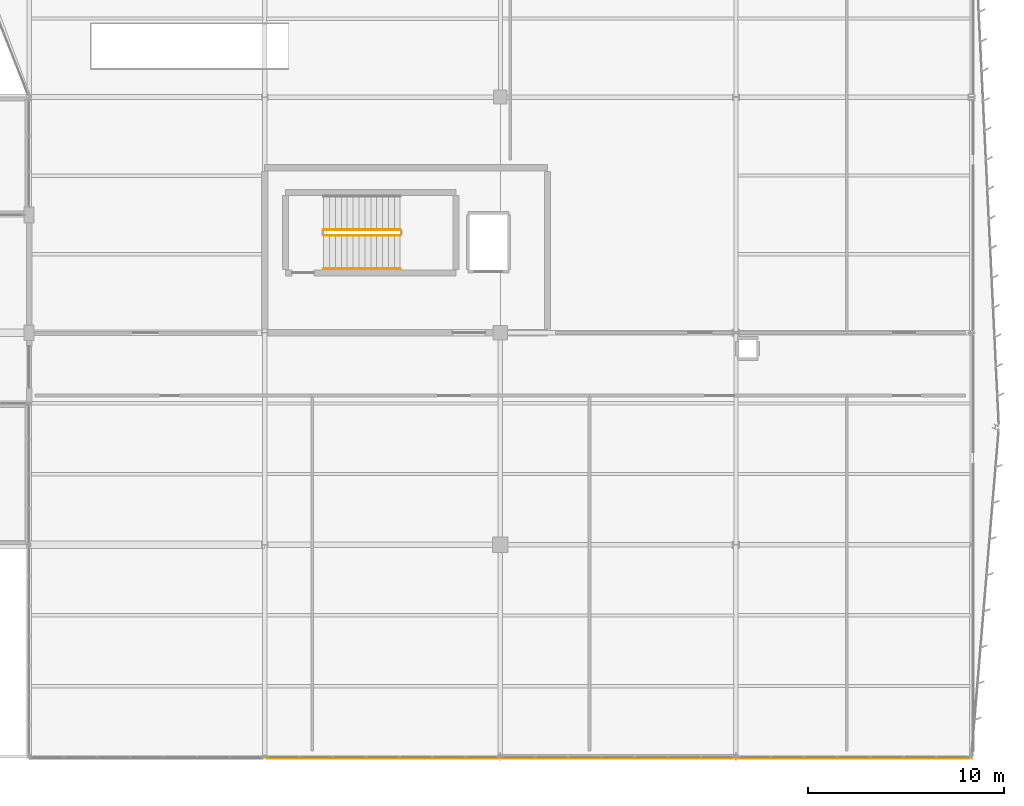
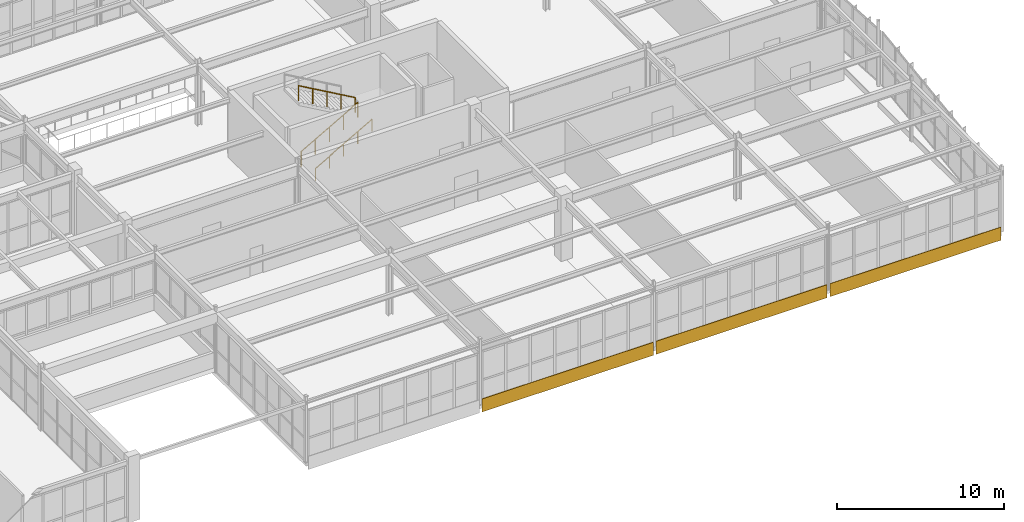
# One storey, part 217 of 226: 3 coverings, 3 railings.
"""IFC4 building model written with IfcOpenShell, lengths in metres."""

import ifcopenshell
import ifcopenshell.guid

model = None  # the IFC model being written
_history = None  # IfcOwnerHistory: only IFC2X3 demands one
_inside = {}  # id of a spatial element -> (the spatial element, [elements in it])
_under = {}  # id of a project, library or spatial element -> (it, [spatial elements below it])
_declared = {}  # id of a project -> (the project, [libraries it declares])
_typed = {}  # id of a type object -> (the type object, [elements of that type])
_made_of = {}  # id of a material, layer set ... -> (it, [elements and type objects made of it])


def new_model(schema):
    """Start an empty IFC model of exactly this schema.

    Asked for "IFC4X3", IfcOpenShell would pick the latest addendum, in which some entities
    have other attributes; the version numbers below select the first issue.
    IFC2X3 requires an IfcOwnerHistory on every rooted entity: one is made here for all.
    """
    global model, _history
    if schema == "IFC4X3":
        model = ifcopenshell.file(schema_version=(4, 3, 0, 0))
    else:
        model = ifcopenshell.file(schema=schema)
    _inside.clear()
    _under.clear()
    _declared.clear()
    _typed.clear()
    _made_of.clear()
    _history = None
    if model.schema == "IFC2X3":
        org = make("IfcOrganization", Name="unknown")
        user = make(
            "IfcPersonAndOrganization",
            ThePerson=make("IfcPerson", FamilyName="unknown"),
            TheOrganization=org,
        )
        app = make(
            "IfcApplication",
            ApplicationDeveloper=org,
            Version="unknown",
            ApplicationFullName="unknown",
            ApplicationIdentifier="unknown",
        )
        _history = make(
            "IfcOwnerHistory",
            OwningUser=user,
            OwningApplication=app,
            ChangeAction="ADDED",
            CreationDate=0,
        )
    return model


def make(cls, **values):
    """One entity of the class cls with the attributes given. An attribute that is None is left unset."""
    return model.create_entity(
        cls, **{name: value for name, value in values.items() if value is not None}
    )


def rooted(cls, **values):
    """An entity with a GlobalId (a new one), such as an element, a storey or a relation."""
    return make(cls, GlobalId=ifcopenshell.guid.new(), OwnerHistory=_history, **values)


def si_unit(unit_type, name, prefix=None):
    """IfcSIUnit, for example si_unit("LENGTHUNIT", "METRE", prefix="MILLI")."""
    return make("IfcSIUnit", UnitType=unit_type, Prefix=prefix, Name=name)


def assignment(units):
    """IfcUnitAssignment: the units of a project."""
    return None if units is None else make("IfcUnitAssignment", Units=units)


def point(xyz):
    """IfcCartesianPoint."""
    return None if xyz is None else make("IfcCartesianPoint", Coordinates=xyz)


def direction(xyz):
    """IfcDirection."""
    return None if xyz is None else make("IfcDirection", DirectionRatios=xyz)


def frame(location, z_axis=None, x_axis=None):
    """IfcAxis2Placement3D, a coordinate frame: its origin and axes. An axis left out is left unset."""
    return make(
        "IfcAxis2Placement3D",
        Location=point(location),
        Axis=direction(z_axis),
        RefDirection=direction(x_axis),
    )


def frame_2d(location, x_axis=None):
    """IfcAxis2Placement2D, a coordinate frame in the plane: its origin and x axis."""
    return make(
        "IfcAxis2Placement2D", Location=point(location), RefDirection=direction(x_axis)
    )


def origin():
    """The frame at (0, 0, 0) with its axes left unset."""
    return frame((0.0, 0.0, 0.0))


def origin_2d():
    """The frame at (0, 0) in the plane with its x axis left unset."""
    return frame_2d((0.0, 0.0))


def place(relative_to, where):
    """IfcLocalPlacement: puts the frame where relative to a parent placement (None: the world)."""
    return make(
        "IfcLocalPlacement", PlacementRelTo=relative_to, RelativePlacement=where
    )


def context(
    kind, dimensions, precision=None, world=None, true_north=None, identifier=None
):
    """IfcGeometricRepresentationContext, for example the 3D "Model" context."""
    return make(
        "IfcGeometricRepresentationContext",
        ContextIdentifier=identifier,
        ContextType=kind,
        CoordinateSpaceDimension=dimensions,
        Precision=precision,
        WorldCoordinateSystem=world,
        TrueNorth=true_north,
    )


def subcontext(parent, identifier, kind, view, scale=None):
    """IfcGeometricRepresentationSubContext, for example "Body" below "Model"."""
    return make(
        "IfcGeometricRepresentationSubContext",
        ContextIdentifier=identifier,
        ContextType=kind,
        ParentContext=parent,
        TargetScale=scale,
        TargetView=view,
    )


def project(units=None, contexts=None):
    """IfcProject with its units and contexts."""
    return rooted(
        "IfcProject",
        Name="project",
        RepresentationContexts=contexts,
        UnitsInContext=assignment(units),
    )


def spatial(cls, under=None, at=None, **own):
    """A site, building, storey or space (cls), placed at a placement, below another one or the project."""
    s = rooted(cls, ObjectPlacement=at, **own)
    if under is not None:
        _under.setdefault(under.id(), (under, []))[1].append(s)
    return s


def profile(cls, at=None, kind="AREA", **sizes):
    """A parametric profile (cls). Its sizes go by their IFC names, for example OverallWidth=200.0."""
    return make(cls, ProfileType=kind, Position=at, **sizes)


def rectangle(**sizes):
    """IfcRectangleProfileDef."""
    return profile("IfcRectangleProfileDef", **sizes)


def circle(**sizes):
    """IfcCircleProfileDef."""
    return profile("IfcCircleProfileDef", **sizes)


def extrude(swept, where, along, depth):
    """IfcExtrudedAreaSolid: the profile swept, set in the frame where, extruded along a direction by depth."""
    return make(
        "IfcExtrudedAreaSolid",
        SweptArea=swept,
        Position=where,
        ExtrudedDirection=direction(along),
        Depth=depth,
    )


def shape(context_of_items, identifier, shape_type, items):
    """IfcShapeRepresentation: the items that make up one representation, for example the "Body"."""
    return make(
        "IfcShapeRepresentation",
        ContextOfItems=context_of_items,
        RepresentationIdentifier=identifier,
        RepresentationType=shape_type,
        Items=items,
    )


def material(Name=None, Category=None):
    """IfcMaterial."""
    return make("IfcMaterial", Name=Name, Category=Category)


def layer(
    of_material, thickness, ventilated=None, Name=None, Category=None, Priority=None
):
    """IfcMaterialLayer: one layer of a wall or slab, of a material (None: an air gap)."""
    return make(
        "IfcMaterialLayer",
        Material=of_material,
        LayerThickness=thickness,
        IsVentilated=ventilated,
        Name=Name,
        Category=Category,
        Priority=Priority,
    )


def layer_set(layers, Name=None):
    """IfcMaterialLayerSet."""
    return make("IfcMaterialLayerSet", MaterialLayers=layers, LayerSetName=Name)


def made_of(thing, what):
    """Note that an element or type object is made of a material, layer set ...; save() writes the relation."""
    if what is not None:
        _made_of.setdefault(what.id(), (what, []))[1].append(thing)
    return thing


def type_object(cls, material=None, **own):
    """A type object (cls), such as IfcWallType, which elements share."""
    return made_of(rooted(cls, **own), material)


def element(
    cls,
    number,
    at=None,
    inside=None,
    cuts=None,
    type_object=None,
    material=None,
    context=None,
    identifier="Body",
    shape_type=None,
    held_by="IfcProductDefinitionShape",
    body=None,
    shapes=None,
    **own,
):
    """One element of the class cls, such as IfcWall. Its Tag is "e" and its number.

    at: its placement. inside: the storey or other place that contains it. cuts: it is an
    opening in that element (IfcRelVoidsElement). A single representation is given by context,
    identifier, shape_type and body (its items); several are given by shapes. held_by: the class
    of the entity that holds the representations. save() writes the other relations.
    """
    e = rooted(cls, Tag="e%d" % number, ObjectPlacement=at, **own)
    if body is not None:
        shapes = [shape(context, identifier, shape_type, body)]
    if shapes is not None:
        e.Representation = make(held_by, Representations=shapes)
    if inside is not None:
        _inside.setdefault(inside.id(), (inside, []))[1].append(e)
    if cuts is not None:
        rooted(
            "IfcRelVoidsElement", RelatingBuildingElement=cuts, RelatedOpeningElement=e
        )
    if type_object is not None:
        _typed.setdefault(type_object.id(), (type_object, []))[1].append(e)
    return made_of(e, material)


def aggregate(whole, parts):
    """IfcRelAggregates: a whole, such as a stair, and the parts it consists of."""
    return rooted("IfcRelAggregates", RelatingObject=whole, RelatedObjects=parts)


def save(model, path):
    """Write the relations noted so far, then the file.

    IfcRelAggregates (storeys below a building ...), IfcRelContainedInSpatialStructure (elements
    in a storey), IfcRelDefinesByType, IfcRelAssociatesMaterial and IfcRelDeclares: one each for
    every whole, place, type object, material and project.
    """
    for whole, parts in _under.values():
        aggregate(whole, parts)
    for where, things in _inside.values():
        rooted(
            "IfcRelContainedInSpatialStructure",
            RelatedElements=things,
            RelatingStructure=where,
        )
    for kind, things in _typed.values():
        rooted("IfcRelDefinesByType", RelatedObjects=things, RelatingType=kind)
    for what, things in _made_of.values():
        rooted("IfcRelAssociatesMaterial", RelatedObjects=things, RelatingMaterial=what)
    for by, libraries in _declared.values():
        rooted("IfcRelDeclares", RelatingContext=by, RelatedDefinitions=libraries)
    model.write(path)


model = new_model("IFC4")

# Units and contexts
model_context = context("Model", 3, precision=1e-05, world=origin(), true_north=direction((0.0, 1.0)))
body_context = subcontext(model_context, "Body", "Model", "MODEL_VIEW")
ifc_project = project(units=[si_unit("LENGTHUNIT", "METRE"), si_unit("AREAUNIT", "SQUARE_METRE"), si_unit("VOLUMEUNIT", "CUBIC_METRE"), si_unit("PLANEANGLEUNIT", "RADIAN"), si_unit("MASSUNIT", "GRAM", prefix="KILO")], contexts=[model_context])

# Site, building, storey
site_placement = place(None, origin())
site = spatial("IfcSite", under=ifc_project, at=site_placement, CompositionType="ELEMENT")
building_placement = place(site_placement, origin())
building = spatial("IfcBuilding", under=site, at=building_placement, Name="Tarnwether General Hospital", CompositionType="ELEMENT")
storey_placement = place(building_placement, frame((0.0, 0.0, 4.800048828125)))
storey = spatial("IfcBuildingStorey", under=building, at=storey_placement, Name="L01", CompositionType="ELEMENT", Elevation=4.800048828125)

# Coverings
ifc_material_1 = material(Name="Folded zinc-titanium cladding")
ifc_layer = layer(ifc_material_1, 0.0400390625)
ifc_layer_set = layer_set([ifc_layer], Name="Folded zinc-titanium cladding")
covering_type = type_object("IfcCoveringType", Name="CV-CLD-ZNC", PredefinedType="CLADDING", material=ifc_layer_set)
for number, where, z_axis, x_axis, name in (
    (1, (162.0, -0.090087890625, -0.55517578125), (0.0, 0.0, 1.0), (1.0, 0.0, 0.0), "Deconstructivist Faceted Zinc Spandrel Blade 002"),
    (2, (174.0, -0.090087890625, -0.55517578125), (0.0, 0.0, 1.0), (1.0, 0.0, 0.0), "Deconstructivist Faceted Zinc Spandrel Blade 003"),
    (3, (186.0, -0.090087890625, -0.55517578125), (0.0, 0.0, 1.0), (1.0, 0.0, 0.0), "Deconstructivist Faceted Zinc Spandrel Blade 004"),
):
    element("IfcCovering", number, at=place(storey_placement, frame(where, z_axis=z_axis, x_axis=x_axis)), inside=storey, type_object=covering_type, Name=name, PredefinedType="CLADDING", context=body_context, shape_type="SweptSolid", body=[
        extrude(rectangle(XDim=11.800048828125, YDim=0.0400390625, at=origin_2d()), origin(), (0.0, 0.0, 1.0), 0.949951171875),
    ])

# Railings
ifc_material_2 = material(Name="Anodised aluminium", Category="aluminium")
railing_type_1 = type_object("IfcRailingType", Name="RL-GRD-INT", PredefinedType="GUARDRAIL", material=ifc_material_2)
railing_1_placement = place(storey_placement, frame((159.0, 26.550048828125, 0.17138671875)))
element("IfcRailing", 4, at=railing_1_placement, inside=storey, type_object=railing_type_1, Name="L01 ST-05 stair guard 1", PredefinedType="GUARDRAIL", context=body_context, shape_type="SweptSolid", body=[
    extrude(circle(Radius=0.02392578125, at=origin_2d()), frame((0.0, 0.0, 1.076171875), z_axis=(0.868243142124, 0.0, 0.496138938357), x_axis=(0.0, 1.0, 0.0)), (0.0, 0.0, 1.0), 4.49169921875),
    extrude(circle(Radius=0.02099609375, at=origin_2d()), origin(), (0.0, 0.0, 1.0), 1.052001953125),
    extrude(circle(Radius=0.02099609375, at=origin_2d()), frame((0.97509765625, 0.0, 0.55712890625)), (0.0, 0.0, 1.0), 1.052001953125),
    extrude(circle(Radius=0.02099609375, at=origin_2d()), frame((1.949951171875, 0.0, 1.1142578125)), (0.0, 0.0, 1.0), 1.052001953125),
    extrude(circle(Radius=0.02099609375, at=origin_2d()), frame((2.9248046875, 0.0, 1.67138671875)), (0.0, 0.0, 1.0), 1.052001953125),
    extrude(circle(Radius=0.02099609375, at=origin_2d()), frame((3.89990234375, 0.0, 2.228515625)), (0.0, 0.0, 1.0), 1.052001953125),
])
railing_2_placement = place(storey_placement, frame((162.89990234375, 26.85009765625, 2.5712890625)))
element("IfcRailing", 5, at=railing_2_placement, inside=storey, type_object=railing_type_1, Name="L01 ST-05 stair guard 3", PredefinedType="GUARDRAIL", context=body_context, shape_type="SweptSolid", body=[
    extrude(circle(Radius=0.02392578125, at=origin_2d()), frame((0.0, 0.0, 1.076171875), z_axis=(-0.868219727965, 0.0, 0.496179910892), x_axis=(0.0, -1.0, 0.0)), (0.0, 0.0, 1.0), 4.491943359375),
    extrude(circle(Radius=0.02099609375, at=origin_2d()), origin(), (0.0, 0.0, 1.0), 1.052001953125),
    extrude(circle(Radius=0.02099609375, at=origin_2d()), frame((-0.97509765625, 0.0, 0.55712890625)), (0.0, 0.0, 1.0), 1.052001953125),
    extrude(circle(Radius=0.02099609375, at=origin_2d()), frame((-1.949951171875, 0.0, 1.1142578125)), (0.0, 0.0, 1.0), 1.052001953125),
    extrude(circle(Radius=0.02099609375, at=origin_2d()), frame((-2.9248046875, 0.0, 1.671630859375)), (0.0, 0.0, 1.0), 1.052001953125),
    extrude(circle(Radius=0.02099609375, at=origin_2d()), frame((-3.89990234375, 0.0, 2.228759765625)), (0.0, 0.0, 1.0), 1.052001953125),
])
ifc_material_3 = material(Name="Anodised aluminium", Category="aluminium")
railing_type_2 = type_object("IfcRailingType", Name="RL-HND-INT", PredefinedType="HANDRAIL", material=ifc_material_3)
railing_3_placement = place(storey_placement, frame((159.0, 24.85009765625, 0.17138671875)))
element("IfcRailing", 6, at=railing_3_placement, inside=storey, type_object=railing_type_2, Name="L01 ST-05 stair handrail 1", PredefinedType="HANDRAIL", context=body_context, shape_type="SweptSolid", body=[
    extrude(circle(Radius=0.02392578125, at=origin_2d()), frame((0.0, 0.0, 0.8759765625), z_axis=(0.868243142124, 0.0, 0.496138938357), x_axis=(0.0, 1.0, 0.0)), (0.0, 0.0, 1.0), 4.49169921875),
    extrude(circle(Radius=0.02099609375, at=origin_2d()), origin(), (0.0, 0.0, 1.0), 0.851806640625),
    extrude(circle(Radius=0.02099609375, at=origin_2d()), frame((0.97509765625, 0.0, 0.55712890625)), (0.0, 0.0, 1.0), 0.851806640625),
    extrude(circle(Radius=0.02099609375, at=origin_2d()), frame((1.949951171875, 0.0, 1.1142578125)), (0.0, 0.0, 1.0), 0.851806640625),
    extrude(circle(Radius=0.02099609375, at=origin_2d()), frame((2.9248046875, 0.0, 1.67138671875)), (0.0, 0.0, 1.0), 0.851806640625),
    extrude(circle(Radius=0.02099609375, at=origin_2d()), frame((3.89990234375, 0.0, 2.228515625)), (0.0, 0.0, 1.0), 0.851806640625),
])

save(model, "model.ifc")
